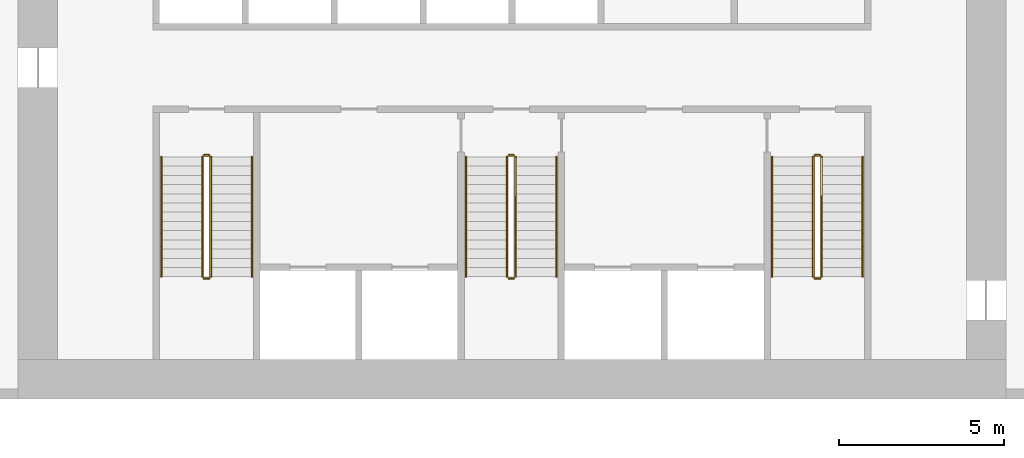
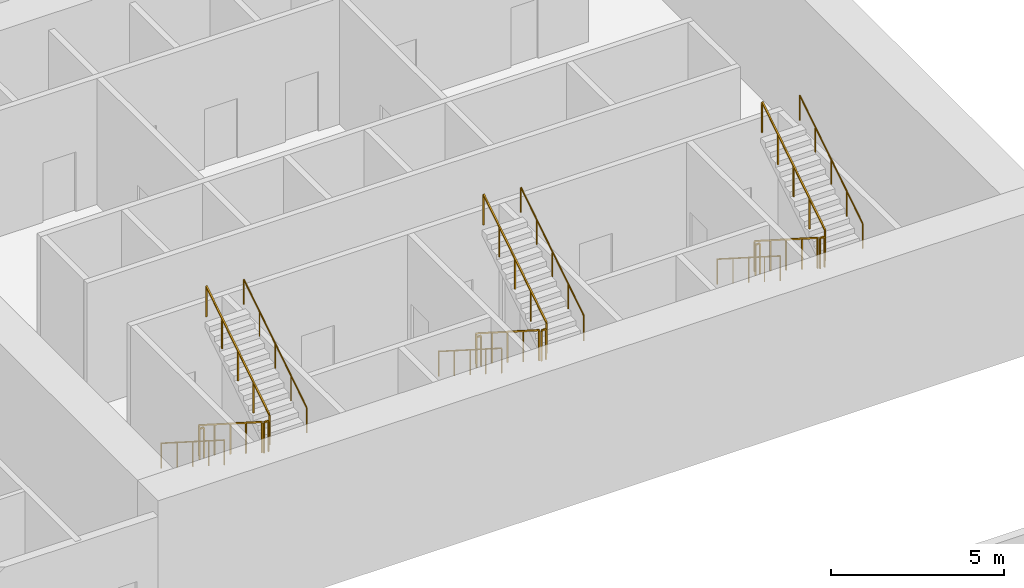
# One storey, part 11 of 12: 18 railings.
"""IFC4 building model written with IfcOpenShell, lengths in metres."""

from ifc_helpers import new_model, si_unit, direction, frame, origin, origin_2d, place, context, subcontext, project, spatial, rectangle, circle, extrude, material, type_object, element, save


model = new_model("IFC4")

# Units and contexts
model_context = context("Model", 3, precision=1e-05, world=origin(), true_north=direction((0.0, 1.0)))
body_context = subcontext(model_context, "Body", "Model", "MODEL_VIEW")
ifc_project = project(units=[si_unit("LENGTHUNIT", "METRE"), si_unit("AREAUNIT", "SQUARE_METRE"), si_unit("VOLUMEUNIT", "CUBIC_METRE"), si_unit("PLANEANGLEUNIT", "RADIAN"), si_unit("MASSUNIT", "GRAM", prefix="KILO")], contexts=[model_context])

# Site, building, storey
site_placement = place(None, origin())
site = spatial("IfcSite", under=ifc_project, at=site_placement, CompositionType="ELEMENT")
building_placement = place(site_placement, origin())
building = spatial("IfcBuilding", under=site, at=building_placement, Name="Mangrove Gate Tower", CompositionType="ELEMENT")
storey_placement = place(building_placement, frame((0.0, 0.0, 11.0)))
storey = spatial("IfcBuildingStorey", under=building, at=storey_placement, Name="L02", CompositionType="ELEMENT", Elevation=11.0)

# Railings
ifc_material_1 = material(Name="Stainless steel 316", Category="steel")
railing_type_1 = type_object("IfcRailingType", Name="Core stair guard 1100", PredefinedType="GUARDRAIL", material=ifc_material_1)
railing_1_placement = place(storey_placement, frame((-9.39990234375, -4.64990234375, 0.178466796875)))
element("IfcRailing", 1, at=railing_1_placement, inside=storey, type_object=railing_type_1, Name="L02 ST1 stair guard 1", PredefinedType="GUARDRAIL", context=body_context, shape_type="SweptSolid", body=[
    extrude(rectangle(XDim=0.048095703125, YDim=0.048095703125, at=origin_2d()), frame((0.0, 0.0, 1.076171875), z_axis=(0.0, -0.843127859045, 0.537713132908), x_axis=(1.0, 0.0, 0.0)), (0.0, 0.0, 1.0), 4.3173828125),
    extrude(rectangle(XDim=0.0419921875, YDim=0.0419921875, at=origin_2d()), origin(), (0.0, 0.0, 1.0), 1.052001953125),
    extrude(rectangle(XDim=0.0419921875, YDim=0.0419921875, at=origin_2d()), frame((0.0, -0.91015625, 0.580322265625)), (0.0, 0.0, 1.0), 1.052001953125),
    extrude(rectangle(XDim=0.0419921875, YDim=0.0419921875, at=origin_2d()), frame((0.0, -1.820068359375, 1.16064453125)), (0.0, 0.0, 1.0), 1.052001953125),
    extrude(rectangle(XDim=0.0419921875, YDim=0.0419921875, at=origin_2d()), frame((0.0, -2.72998046875, 1.7412109375)), (0.0, 0.0, 1.0), 1.052001953125),
    extrude(rectangle(XDim=0.0419921875, YDim=0.0419921875, at=origin_2d()), frame((0.0, -3.64013671875, 2.321533203125)), (0.0, 0.0, 1.0), 1.052001953125),
])
railing_2_placement = place(storey_placement, frame((-9.35009765625, -8.340087890625, 2.5)))
element("IfcRailing", 2, at=railing_2_placement, inside=storey, type_object=railing_type_1, Name="L02 ST1 stair guard 2", PredefinedType="GUARDRAIL", context=body_context, shape_type="SweptSolid", body=[
    extrude(rectangle(XDim=0.048095703125, YDim=0.048095703125, at=origin_2d()), frame((0.0, 0.0, 1.076171875), z_axis=(1.0, 0.0, 0.0), x_axis=(0.0, 1.0, 0.0)), (0.0, 0.0, 1.0), 0.150146484375),
    extrude(rectangle(XDim=0.0419921875, YDim=0.0419921875, at=origin_2d()), origin(), (0.0, 0.0, 1.0), 1.052001953125),
    extrude(rectangle(XDim=0.0419921875, YDim=0.0419921875, at=origin_2d()), frame((0.150146484375, 0.0, 0.0)), (0.0, 0.0, 1.0), 1.052001953125),
])
railing_3_placement = place(storey_placement, frame((-9.14990234375, -8.2900390625, 2.678466796875)))
element("IfcRailing", 3, at=railing_3_placement, inside=storey, type_object=railing_type_1, Name="L02 ST1 stair guard 3", PredefinedType="GUARDRAIL", context=body_context, shape_type="SweptSolid", body=[
    extrude(rectangle(XDim=0.048095703125, YDim=0.048095703125, at=origin_2d()), frame((0.0, 0.0, 1.076171875), z_axis=(0.0, 0.843127859045, 0.537713132908), x_axis=(-1.0, 0.0, 0.0)), (0.0, 0.0, 1.0), 4.3173828125),
    extrude(rectangle(XDim=0.0419921875, YDim=0.0419921875, at=origin_2d()), origin(), (0.0, 0.0, 1.0), 1.052001953125),
    extrude(rectangle(XDim=0.0419921875, YDim=0.0419921875, at=origin_2d()), frame((0.0, 0.91015625, 0.580322265625)), (0.0, 0.0, 1.0), 1.052001953125),
    extrude(rectangle(XDim=0.0419921875, YDim=0.0419921875, at=origin_2d()), frame((0.0, 1.820068359375, 1.16064453125)), (0.0, 0.0, 1.0), 1.052001953125),
    extrude(rectangle(XDim=0.0419921875, YDim=0.0419921875, at=origin_2d()), frame((0.0, 2.72998046875, 1.7412109375)), (0.0, 0.0, 1.0), 1.052001953125),
    extrude(rectangle(XDim=0.0419921875, YDim=0.0419921875, at=origin_2d()), frame((0.0, 3.64013671875, 2.321533203125)), (0.0, 0.0, 1.0), 1.052001953125),
])
railing_4_placement = place(storey_placement, frame((-9.35009765625, -4.60009765625, 0.0)))
element("IfcRailing", 4, at=railing_4_placement, inside=storey, type_object=railing_type_1, Name="L02 ST1 stair guard 4", PredefinedType="GUARDRAIL", context=body_context, shape_type="SweptSolid", body=[
    extrude(rectangle(XDim=0.048095703125, YDim=0.048095703125, at=origin_2d()), frame((0.0, 0.0, 1.076171875), z_axis=(1.0, 0.0, 0.0), x_axis=(0.0, 1.0, 0.0)), (0.0, 0.0, 1.0), 0.150146484375),
    extrude(rectangle(XDim=0.0419921875, YDim=0.0419921875, at=origin_2d()), origin(), (0.0, 0.0, 1.0), 1.052001953125),
    extrude(rectangle(XDim=0.0419921875, YDim=0.0419921875, at=origin_2d()), frame((0.150146484375, 0.0, 0.0)), (0.0, 0.0, 1.0), 1.052001953125),
])
railing_5_placement = place(storey_placement, frame((-0.14990234375, -4.64990234375, 0.178466796875)))
element("IfcRailing", 5, at=railing_5_placement, inside=storey, type_object=railing_type_1, Name="L02 ST2 stair guard 1", PredefinedType="GUARDRAIL", context=body_context, shape_type="SweptSolid", body=[
    extrude(rectangle(XDim=0.048095703125, YDim=0.048095703125, at=origin_2d()), frame((0.0, 0.0, 1.076171875), z_axis=(0.0, -0.843127859045, 0.537713132908), x_axis=(1.0, 0.0, 0.0)), (0.0, 0.0, 1.0), 4.3173828125),
    extrude(rectangle(XDim=0.0419921875, YDim=0.0419921875, at=origin_2d()), origin(), (0.0, 0.0, 1.0), 1.052001953125),
    extrude(rectangle(XDim=0.0419921875, YDim=0.0419921875, at=origin_2d()), frame((0.0, -0.91015625, 0.580322265625)), (0.0, 0.0, 1.0), 1.052001953125),
    extrude(rectangle(XDim=0.0419921875, YDim=0.0419921875, at=origin_2d()), frame((0.0, -1.820068359375, 1.16064453125)), (0.0, 0.0, 1.0), 1.052001953125),
    extrude(rectangle(XDim=0.0419921875, YDim=0.0419921875, at=origin_2d()), frame((0.0, -2.72998046875, 1.7412109375)), (0.0, 0.0, 1.0), 1.052001953125),
    extrude(rectangle(XDim=0.0419921875, YDim=0.0419921875, at=origin_2d()), frame((0.0, -3.64013671875, 2.321533203125)), (0.0, 0.0, 1.0), 1.052001953125),
])
railing_6_placement = place(storey_placement, frame((-0.10009765625, -8.340087890625, 2.5)))
element("IfcRailing", 6, at=railing_6_placement, inside=storey, type_object=railing_type_1, Name="L02 ST2 stair guard 2", PredefinedType="GUARDRAIL", context=body_context, shape_type="SweptSolid", body=[
    extrude(rectangle(XDim=0.048095703125, YDim=0.048095703125, at=origin_2d()), frame((0.0, 0.0, 1.076171875), z_axis=(1.0, 0.0, 0.0), x_axis=(0.0, 1.0, 0.0)), (0.0, 0.0, 1.0), 0.150146484375),
    extrude(rectangle(XDim=0.0419921875, YDim=0.0419921875, at=origin_2d()), origin(), (0.0, 0.0, 1.0), 1.052001953125),
    extrude(rectangle(XDim=0.0419921875, YDim=0.0419921875, at=origin_2d()), frame((0.150146484375, 0.0, 0.0)), (0.0, 0.0, 1.0), 1.052001953125),
])
railing_7_placement = place(storey_placement, frame((0.10009765625, -8.2900390625, 2.678466796875)))
element("IfcRailing", 7, at=railing_7_placement, inside=storey, type_object=railing_type_1, Name="L02 ST2 stair guard 3", PredefinedType="GUARDRAIL", context=body_context, shape_type="SweptSolid", body=[
    extrude(rectangle(XDim=0.048095703125, YDim=0.048095703125, at=origin_2d()), frame((0.0, 0.0, 1.076171875), z_axis=(0.0, 0.843127859045, 0.537713132908), x_axis=(-1.0, 0.0, 0.0)), (0.0, 0.0, 1.0), 4.3173828125),
    extrude(rectangle(XDim=0.0419921875, YDim=0.0419921875, at=origin_2d()), origin(), (0.0, 0.0, 1.0), 1.052001953125),
    extrude(rectangle(XDim=0.0419921875, YDim=0.0419921875, at=origin_2d()), frame((0.0, 0.91015625, 0.580322265625)), (0.0, 0.0, 1.0), 1.052001953125),
    extrude(rectangle(XDim=0.0419921875, YDim=0.0419921875, at=origin_2d()), frame((0.0, 1.820068359375, 1.16064453125)), (0.0, 0.0, 1.0), 1.052001953125),
    extrude(rectangle(XDim=0.0419921875, YDim=0.0419921875, at=origin_2d()), frame((0.0, 2.72998046875, 1.7412109375)), (0.0, 0.0, 1.0), 1.052001953125),
    extrude(rectangle(XDim=0.0419921875, YDim=0.0419921875, at=origin_2d()), frame((0.0, 3.64013671875, 2.321533203125)), (0.0, 0.0, 1.0), 1.052001953125),
])
railing_8_placement = place(storey_placement, frame((-0.10009765625, -4.60009765625, 0.0)))
element("IfcRailing", 8, at=railing_8_placement, inside=storey, type_object=railing_type_1, Name="L02 ST2 stair guard 4", PredefinedType="GUARDRAIL", context=body_context, shape_type="SweptSolid", body=[
    extrude(rectangle(XDim=0.048095703125, YDim=0.048095703125, at=origin_2d()), frame((0.0, 0.0, 1.076171875), z_axis=(1.0, 0.0, 0.0), x_axis=(0.0, 1.0, 0.0)), (0.0, 0.0, 1.0), 0.150146484375),
    extrude(rectangle(XDim=0.0419921875, YDim=0.0419921875, at=origin_2d()), origin(), (0.0, 0.0, 1.0), 1.052001953125),
    extrude(rectangle(XDim=0.0419921875, YDim=0.0419921875, at=origin_2d()), frame((0.150146484375, 0.0, 0.0)), (0.0, 0.0, 1.0), 1.052001953125),
])
railing_9_placement = place(storey_placement, frame((9.14990234375, -4.64990234375, 0.178466796875)))
element("IfcRailing", 9, at=railing_9_placement, inside=storey, type_object=railing_type_1, Name="L02 ST3 stair guard 1", PredefinedType="GUARDRAIL", context=body_context, shape_type="SweptSolid", body=[
    extrude(rectangle(XDim=0.048095703125, YDim=0.048095703125, at=origin_2d()), frame((0.0, 0.0, 1.076171875), z_axis=(0.0, -0.843127859045, 0.537713132908), x_axis=(1.0, 0.0, 0.0)), (0.0, 0.0, 1.0), 4.3173828125),
    extrude(rectangle(XDim=0.0419921875, YDim=0.0419921875, at=origin_2d()), origin(), (0.0, 0.0, 1.0), 1.052001953125),
    extrude(rectangle(XDim=0.0419921875, YDim=0.0419921875, at=origin_2d()), frame((0.0, -0.91015625, 0.580322265625)), (0.0, 0.0, 1.0), 1.052001953125),
    extrude(rectangle(XDim=0.0419921875, YDim=0.0419921875, at=origin_2d()), frame((0.0, -1.820068359375, 1.16064453125)), (0.0, 0.0, 1.0), 1.052001953125),
    extrude(rectangle(XDim=0.0419921875, YDim=0.0419921875, at=origin_2d()), frame((0.0, -2.72998046875, 1.7412109375)), (0.0, 0.0, 1.0), 1.052001953125),
    extrude(rectangle(XDim=0.0419921875, YDim=0.0419921875, at=origin_2d()), frame((0.0, -3.64013671875, 2.321533203125)), (0.0, 0.0, 1.0), 1.052001953125),
])
railing_10_placement = place(storey_placement, frame((9.199951171875, -8.340087890625, 2.5)))
element("IfcRailing", 10, at=railing_10_placement, inside=storey, type_object=railing_type_1, Name="L02 ST3 stair guard 2", PredefinedType="GUARDRAIL", context=body_context, shape_type="SweptSolid", body=[
    extrude(rectangle(XDim=0.048095703125, YDim=0.048095703125, at=origin_2d()), frame((0.0, 0.0, 1.076171875), z_axis=(1.0, 0.0, 0.0), x_axis=(0.0, 1.0, 0.0)), (0.0, 0.0, 1.0), 0.150146484375),
    extrude(rectangle(XDim=0.0419921875, YDim=0.0419921875, at=origin_2d()), origin(), (0.0, 0.0, 1.0), 1.052001953125),
    extrude(rectangle(XDim=0.0419921875, YDim=0.0419921875, at=origin_2d()), frame((0.150146484375, 0.0, 0.0)), (0.0, 0.0, 1.0), 1.052001953125),
])
railing_11_placement = place(storey_placement, frame((9.39990234375, -8.2900390625, 2.678466796875)))
element("IfcRailing", 11, at=railing_11_placement, inside=storey, type_object=railing_type_1, Name="L02 ST3 stair guard 3", PredefinedType="GUARDRAIL", context=body_context, shape_type="SweptSolid", body=[
    extrude(rectangle(XDim=0.048095703125, YDim=0.048095703125, at=origin_2d()), frame((0.0, 0.0, 1.076171875), z_axis=(0.0, 0.843127859045, 0.537713132908), x_axis=(-1.0, 0.0, 0.0)), (0.0, 0.0, 1.0), 4.3173828125),
    extrude(rectangle(XDim=0.0419921875, YDim=0.0419921875, at=origin_2d()), origin(), (0.0, 0.0, 1.0), 1.052001953125),
    extrude(rectangle(XDim=0.0419921875, YDim=0.0419921875, at=origin_2d()), frame((0.0, 0.91015625, 0.580322265625)), (0.0, 0.0, 1.0), 1.052001953125),
    extrude(rectangle(XDim=0.0419921875, YDim=0.0419921875, at=origin_2d()), frame((0.0, 1.820068359375, 1.16064453125)), (0.0, 0.0, 1.0), 1.052001953125),
    extrude(rectangle(XDim=0.0419921875, YDim=0.0419921875, at=origin_2d()), frame((0.0, 2.72998046875, 1.7412109375)), (0.0, 0.0, 1.0), 1.052001953125),
    extrude(rectangle(XDim=0.0419921875, YDim=0.0419921875, at=origin_2d()), frame((0.0, 3.64013671875, 2.321533203125)), (0.0, 0.0, 1.0), 1.052001953125),
])
railing_12_placement = place(storey_placement, frame((9.199951171875, -4.60009765625, 0.0)))
element("IfcRailing", 12, at=railing_12_placement, inside=storey, type_object=railing_type_1, Name="L02 ST3 stair guard 4", PredefinedType="GUARDRAIL", context=body_context, shape_type="SweptSolid", body=[
    extrude(rectangle(XDim=0.048095703125, YDim=0.048095703125, at=origin_2d()), frame((0.0, 0.0, 1.076171875), z_axis=(1.0, 0.0, 0.0), x_axis=(0.0, 1.0, 0.0)), (0.0, 0.0, 1.0), 0.150146484375),
    extrude(rectangle(XDim=0.0419921875, YDim=0.0419921875, at=origin_2d()), origin(), (0.0, 0.0, 1.0), 1.052001953125),
    extrude(rectangle(XDim=0.0419921875, YDim=0.0419921875, at=origin_2d()), frame((0.150146484375, 0.0, 0.0)), (0.0, 0.0, 1.0), 1.052001953125),
])
ifc_material_2 = material(Name="Stainless steel 316", Category="steel")
railing_type_2 = type_object("IfcRailingType", Name="Core stair handrail 900", PredefinedType="HANDRAIL", material=ifc_material_2)
railing_13_placement = place(storey_placement, frame((-10.64990234375, -4.64990234375, 0.178466796875)))
element("IfcRailing", 13, at=railing_13_placement, inside=storey, type_object=railing_type_2, Name="L02 ST1 stair handrail 1", PredefinedType="HANDRAIL", context=body_context, shape_type="SweptSolid", body=[
    extrude(circle(Radius=0.02392578125, at=origin_2d()), frame((0.0, 0.0, 0.8759765625), z_axis=(0.0, -0.843127859045, 0.537713132908), x_axis=(1.0, 0.0, 0.0)), (0.0, 0.0, 1.0), 4.3173828125),
    extrude(circle(Radius=0.02099609375, at=origin_2d()), origin(), (0.0, 0.0, 1.0), 0.851806640625),
    extrude(circle(Radius=0.02099609375, at=origin_2d()), frame((0.0, -0.91015625, 0.580322265625)), (0.0, 0.0, 1.0), 0.851806640625),
    extrude(circle(Radius=0.02099609375, at=origin_2d()), frame((0.0, -1.820068359375, 1.16064453125)), (0.0, 0.0, 1.0), 0.851806640625),
    extrude(circle(Radius=0.02099609375, at=origin_2d()), frame((0.0, -2.72998046875, 1.7412109375)), (0.0, 0.0, 1.0), 0.851806640625),
    extrude(circle(Radius=0.02099609375, at=origin_2d()), frame((0.0, -3.64013671875, 2.321533203125)), (0.0, 0.0, 1.0), 0.851806640625),
])
railing_14_placement = place(storey_placement, frame((-7.89990234375, -8.2900390625, 2.678466796875)))
element("IfcRailing", 14, at=railing_14_placement, inside=storey, type_object=railing_type_2, Name="L02 ST1 stair handrail 2", PredefinedType="HANDRAIL", context=body_context, shape_type="SweptSolid", body=[
    extrude(circle(Radius=0.02392578125, at=origin_2d()), frame((0.0, 0.0, 0.8759765625), z_axis=(0.0, 0.843127859045, 0.537713132908), x_axis=(-1.0, 0.0, 0.0)), (0.0, 0.0, 1.0), 4.3173828125),
    extrude(circle(Radius=0.02099609375, at=origin_2d()), origin(), (0.0, 0.0, 1.0), 0.851806640625),
    extrude(circle(Radius=0.02099609375, at=origin_2d()), frame((0.0, 0.91015625, 0.580322265625)), (0.0, 0.0, 1.0), 0.851806640625),
    extrude(circle(Radius=0.02099609375, at=origin_2d()), frame((0.0, 1.820068359375, 1.16064453125)), (0.0, 0.0, 1.0), 0.851806640625),
    extrude(circle(Radius=0.02099609375, at=origin_2d()), frame((0.0, 2.72998046875, 1.7412109375)), (0.0, 0.0, 1.0), 0.851806640625),
    extrude(circle(Radius=0.02099609375, at=origin_2d()), frame((0.0, 3.64013671875, 2.321533203125)), (0.0, 0.0, 1.0), 0.851806640625),
])
railing_15_placement = place(storey_placement, frame((-1.39990234375, -4.64990234375, 0.178466796875)))
element("IfcRailing", 15, at=railing_15_placement, inside=storey, type_object=railing_type_2, Name="L02 ST2 stair handrail 1", PredefinedType="HANDRAIL", context=body_context, shape_type="SweptSolid", body=[
    extrude(circle(Radius=0.02392578125, at=origin_2d()), frame((0.0, 0.0, 0.8759765625), z_axis=(0.0, -0.843127859045, 0.537713132908), x_axis=(1.0, 0.0, 0.0)), (0.0, 0.0, 1.0), 4.3173828125),
    extrude(circle(Radius=0.02099609375, at=origin_2d()), origin(), (0.0, 0.0, 1.0), 0.851806640625),
    extrude(circle(Radius=0.02099609375, at=origin_2d()), frame((0.0, -0.91015625, 0.580322265625)), (0.0, 0.0, 1.0), 0.851806640625),
    extrude(circle(Radius=0.02099609375, at=origin_2d()), frame((0.0, -1.820068359375, 1.16064453125)), (0.0, 0.0, 1.0), 0.851806640625),
    extrude(circle(Radius=0.02099609375, at=origin_2d()), frame((0.0, -2.72998046875, 1.7412109375)), (0.0, 0.0, 1.0), 0.851806640625),
    extrude(circle(Radius=0.02099609375, at=origin_2d()), frame((0.0, -3.64013671875, 2.321533203125)), (0.0, 0.0, 1.0), 0.851806640625),
])
railing_16_placement = place(storey_placement, frame((1.35009765625, -8.2900390625, 2.678466796875)))
element("IfcRailing", 16, at=railing_16_placement, inside=storey, type_object=railing_type_2, Name="L02 ST2 stair handrail 2", PredefinedType="HANDRAIL", context=body_context, shape_type="SweptSolid", body=[
    extrude(circle(Radius=0.02392578125, at=origin_2d()), frame((0.0, 0.0, 0.8759765625), z_axis=(0.0, 0.843127859045, 0.537713132908), x_axis=(-1.0, 0.0, 0.0)), (0.0, 0.0, 1.0), 4.3173828125),
    extrude(circle(Radius=0.02099609375, at=origin_2d()), origin(), (0.0, 0.0, 1.0), 0.851806640625),
    extrude(circle(Radius=0.02099609375, at=origin_2d()), frame((0.0, 0.91015625, 0.580322265625)), (0.0, 0.0, 1.0), 0.851806640625),
    extrude(circle(Radius=0.02099609375, at=origin_2d()), frame((0.0, 1.820068359375, 1.16064453125)), (0.0, 0.0, 1.0), 0.851806640625),
    extrude(circle(Radius=0.02099609375, at=origin_2d()), frame((0.0, 2.72998046875, 1.7412109375)), (0.0, 0.0, 1.0), 0.851806640625),
    extrude(circle(Radius=0.02099609375, at=origin_2d()), frame((0.0, 3.64013671875, 2.321533203125)), (0.0, 0.0, 1.0), 0.851806640625),
])
railing_17_placement = place(storey_placement, frame((7.89990234375, -4.64990234375, 0.178466796875)))
element("IfcRailing", 17, at=railing_17_placement, inside=storey, type_object=railing_type_2, Name="L02 ST3 stair handrail 1", PredefinedType="HANDRAIL", context=body_context, shape_type="SweptSolid", body=[
    extrude(circle(Radius=0.02392578125, at=origin_2d()), frame((0.0, 0.0, 0.8759765625), z_axis=(0.0, -0.843127859045, 0.537713132908), x_axis=(1.0, 0.0, 0.0)), (0.0, 0.0, 1.0), 4.3173828125),
    extrude(circle(Radius=0.02099609375, at=origin_2d()), origin(), (0.0, 0.0, 1.0), 0.851806640625),
    extrude(circle(Radius=0.02099609375, at=origin_2d()), frame((0.0, -0.91015625, 0.580322265625)), (0.0, 0.0, 1.0), 0.851806640625),
    extrude(circle(Radius=0.02099609375, at=origin_2d()), frame((0.0, -1.820068359375, 1.16064453125)), (0.0, 0.0, 1.0), 0.851806640625),
    extrude(circle(Radius=0.02099609375, at=origin_2d()), frame((0.0, -2.72998046875, 1.7412109375)), (0.0, 0.0, 1.0), 0.851806640625),
    extrude(circle(Radius=0.02099609375, at=origin_2d()), frame((0.0, -3.64013671875, 2.321533203125)), (0.0, 0.0, 1.0), 0.851806640625),
])
railing_18_placement = place(storey_placement, frame((10.64990234375, -8.2900390625, 2.678466796875)))
element("IfcRailing", 18, at=railing_18_placement, inside=storey, type_object=railing_type_2, Name="L02 ST3 stair handrail 2", PredefinedType="HANDRAIL", context=body_context, shape_type="SweptSolid", body=[
    extrude(circle(Radius=0.02392578125, at=origin_2d()), frame((0.0, 0.0, 0.8759765625), z_axis=(0.0, 0.843127859045, 0.537713132908), x_axis=(-1.0, 0.0, 0.0)), (0.0, 0.0, 1.0), 4.3173828125),
    extrude(circle(Radius=0.02099609375, at=origin_2d()), origin(), (0.0, 0.0, 1.0), 0.851806640625),
    extrude(circle(Radius=0.02099609375, at=origin_2d()), frame((0.0, 0.91015625, 0.580322265625)), (0.0, 0.0, 1.0), 0.851806640625),
    extrude(circle(Radius=0.02099609375, at=origin_2d()), frame((0.0, 1.820068359375, 1.16064453125)), (0.0, 0.0, 1.0), 0.851806640625),
    extrude(circle(Radius=0.02099609375, at=origin_2d()), frame((0.0, 2.72998046875, 1.7412109375)), (0.0, 0.0, 1.0), 0.851806640625),
    extrude(circle(Radius=0.02099609375, at=origin_2d()), frame((0.0, 3.64013671875, 2.321533203125)), (0.0, 0.0, 1.0), 0.851806640625),
])

save(model, "model.ifc")
